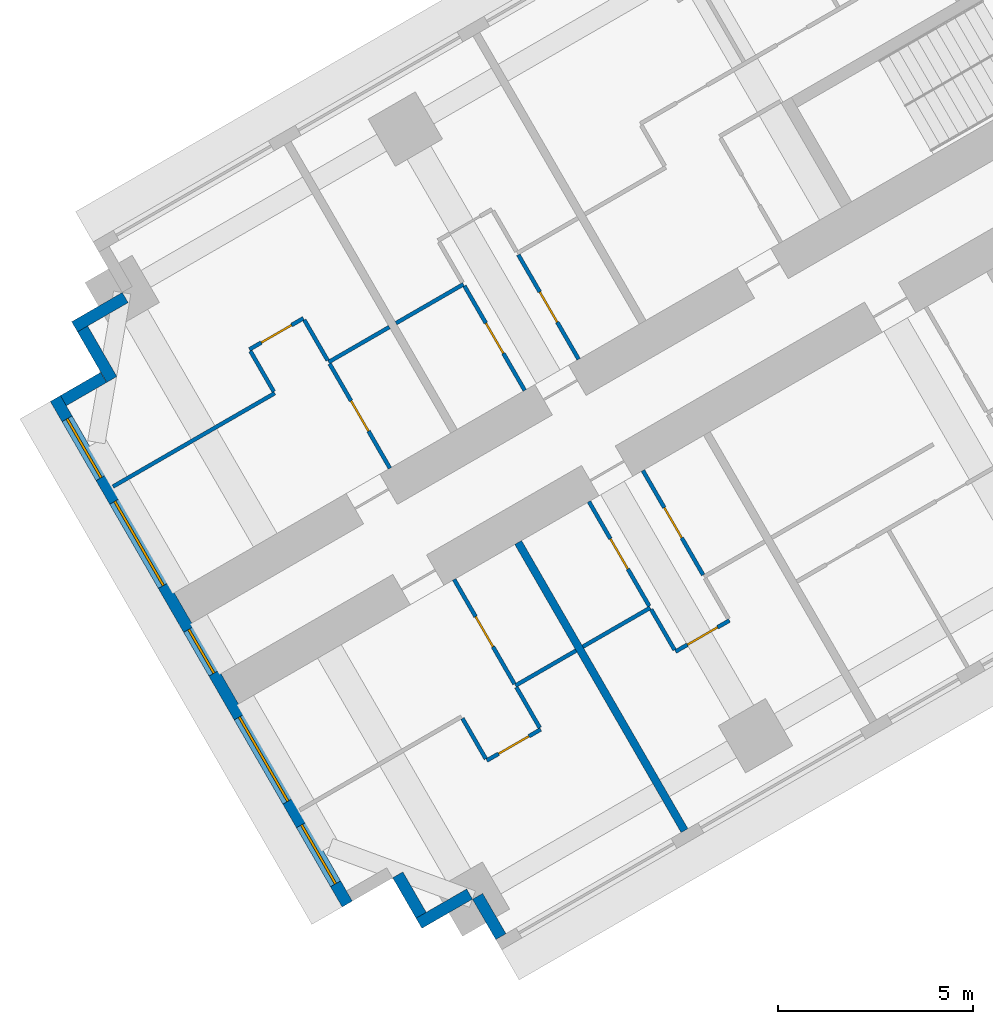
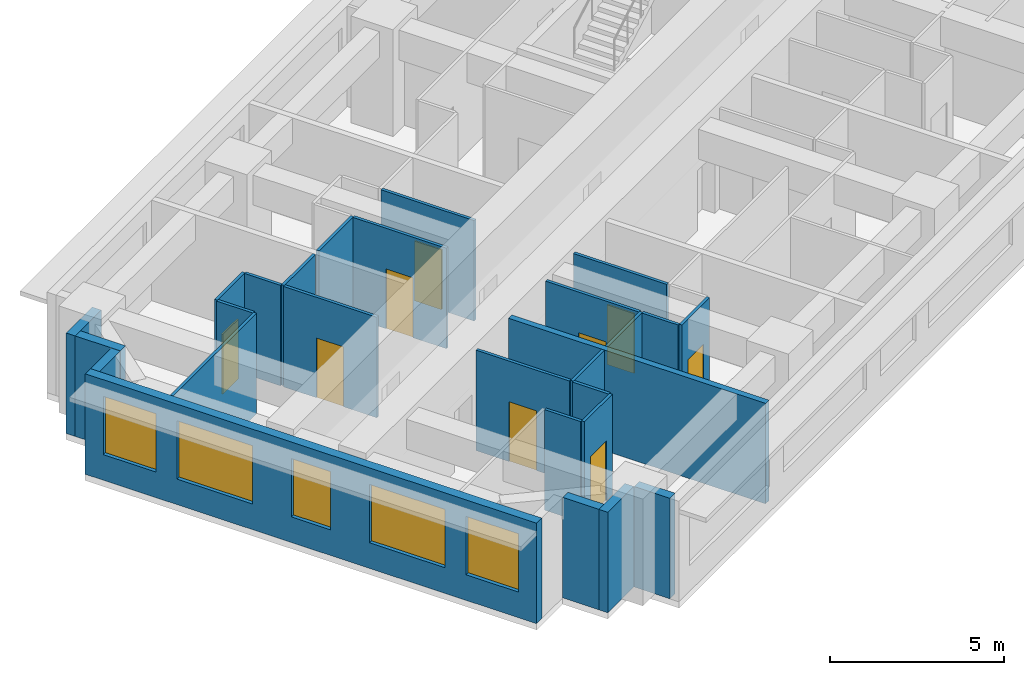
# One storey, part 3 of 16: 27 walls, 9 doors, 5 windows, 14 openings.
"""IFC4 building model written with IfcOpenShell, lengths in metres."""

from ifc_helpers import new_model, si_unit, direction, frame, frame_2d, origin, place, context, subcontext, project, spatial, rectangle, extrude, material, layer, layer_set, type_object, element, fill, save


model = new_model("IFC4")

# Units and contexts
model_context = context("Model", 3, precision=1e-05, world=origin(), true_north=direction((0.0, 1.0)))
body_context = subcontext(model_context, "Body", "Model", "MODEL_VIEW")
ifc_project = project(units=[si_unit("LENGTHUNIT", "METRE"), si_unit("AREAUNIT", "SQUARE_METRE"), si_unit("VOLUMEUNIT", "CUBIC_METRE"), si_unit("PLANEANGLEUNIT", "RADIAN"), si_unit("MASSUNIT", "GRAM", prefix="KILO")], contexts=[model_context])

# Site, building, storey
site_placement = place(None, origin())
site = spatial("IfcSite", under=ifc_project, at=site_placement, CompositionType="ELEMENT")
building_placement = place(site_placement, origin())
building = spatial("IfcBuilding", under=site, at=building_placement, Name="Impinga Residences", CompositionType="ELEMENT")
storey_placement = place(building_placement, frame((0.0, 0.0, 52.25)))
storey = spatial("IfcBuildingStorey", under=building, at=storey_placement, Name="L12", CompositionType="ELEMENT", Elevation=52.25)

# Walls
ifc_material_1 = material(Name="Terracotta rainscreen on blockwork", Category="masonry")
ifc_layer_1 = layer(ifc_material_1, 0.300048828125)
ifc_layer_set_1 = layer_set([ifc_layer_1], Name="EW1 external wall, terracotta rainscreen on blockwork 300")
wall_type_1 = type_object("IfcWallType", Name="EW1 external wall, terracotta rainscreen on blockwork 300", PredefinedType="SOLIDWALL", material=ifc_layer_set_1)
wall_1_placement = place(storey_placement, frame((-33.7685546875, -31.274169921875, 0.0), z_axis=(0.0, 0.0, 1.0), x_axis=(-0.499940577336, 0.866059708757, 0.0)))
element("IfcWall", 1, at=wall_1_placement, inside=storey, type_object=wall_type_1, Name="External wall EW1 L12", PredefinedType="SOLIDWALL", context=body_context, shape_type="SweptSolid", body=[
    extrude(rectangle(XDim=1.195068359375, YDim=0.300048828125, at=frame_2d((0.59765625, 0.0))), origin(), (0.0, 0.0, 1.0), 3.530029296875),
])
wall_2_placement = place(storey_placement, frame((-34.573486328125, -30.18017578125, 0.0), z_axis=(0.0, 0.0, 1.0), x_axis=(-0.866031096941, -0.499990139034, 0.0)))
element("IfcWall", 2, at=wall_2_placement, inside=storey, type_object=wall_type_1, Name="External wall EW1 L12", PredefinedType="SOLIDWALL", context=body_context, shape_type="SweptSolid", body=[
    extrude(rectangle(XDim=1.5, YDim=0.300048828125, at=frame_2d((0.75, 0.0))), origin(), (0.0, 0.0, 1.0), 3.530029296875),
])
wall_3_placement = place(storey_placement, frame((-35.817626953125, -30.72509765625, 0.0), z_axis=(0.0, 0.0, 1.0), x_axis=(-0.499969057507, 0.866043267704, 0.0)))
element("IfcWall", 3, at=wall_3_placement, inside=storey, type_object=wall_type_1, Name="External wall EW1 L12", PredefinedType="SOLIDWALL", context=body_context, shape_type="SweptSolid", body=[
    extrude(rectangle(XDim=1.19970703125, YDim=0.300048828125, at=frame_2d((0.599853515625, 0.0))), origin(), (0.0, 0.0, 1.0), 3.530029296875),
])

# Wall, openings, windows
wall_4_placement = place(storey_placement, frame((-37.716552734375, -30.43603515625, 0.0), z_axis=(0.0, 0.0, 1.0), x_axis=(-0.499997186618, 0.866027028085, 0.0)))
wall_4 = element("IfcWall", 4, at=wall_4_placement, inside=storey, type_object=wall_type_1, Name="External wall EW1 L12", PredefinedType="SOLIDWALL", context=body_context, shape_type="SweptSolid", body=[
    extrude(rectangle(XDim=15.0, YDim=0.300048828125, at=frame_2d((7.5, 0.0))), origin(), (0.0, 0.0, 1.0), 3.530029296875),
])
opening_1_placement = place(wall_4_placement, frame((0.60009765625, 0.0, 0.89990234375)))
opening_1 = element("IfcOpeningElement", 5, at=opening_1_placement, cuts=wall_4, Name="Opening W1", PredefinedType="OPENING", context=body_context, shape_type="SweptSolid", body=[
    extrude(rectangle(XDim=1.75, YDim=2.050048828125, at=frame_2d((0.875, 1.02490234375))), frame((0.0, 0.159912109375, 0.0), z_axis=(0.0, -1.0, 0.0), x_axis=(1.0, 0.0, 0.0)), (0.0, 0.0, 1.0), 0.320068359375),
])
opening_2_placement = place(wall_4_placement, frame((3.050048828125, 0.0, 0.89990234375)))
opening_2 = element("IfcOpeningElement", 6, at=opening_2_placement, cuts=wall_4, Name="Opening W2", PredefinedType="OPENING", context=body_context, shape_type="SweptSolid", body=[
    extrude(rectangle(XDim=2.5, YDim=2.050048828125, at=frame_2d((1.25, 1.02490234375))), frame((0.0, 0.159912109375, 0.0), z_axis=(0.0, -1.0, 0.0), x_axis=(1.0, 0.0, 0.0)), (0.0, 0.0, 1.0), 0.320068359375),
])
opening_3_placement = place(wall_4_placement, frame((6.85009765625, 0.0, 0.89990234375)))
opening_3 = element("IfcOpeningElement", 7, at=opening_3_placement, cuts=wall_4, Name="Opening WE1", PredefinedType="OPENING", context=body_context, shape_type="SweptSolid", body=[
    extrude(rectangle(XDim=1.300048828125, YDim=2.050048828125, at=frame_2d((0.64990234375, 1.02490234375))), frame((0.0, 0.159912109375, 0.0), z_axis=(0.0, -1.0, 0.0), x_axis=(1.0, 0.0, 0.0)), (0.0, 0.0, 1.0), 0.320068359375),
])
opening_4_placement = place(wall_4_placement, frame((9.449951171875, 0.0, 0.89990234375)))
opening_4 = element("IfcOpeningElement", 8, at=opening_4_placement, cuts=wall_4, Name="Opening W2", PredefinedType="OPENING", context=body_context, shape_type="SweptSolid", body=[
    extrude(rectangle(XDim=2.5, YDim=2.050048828125, at=frame_2d((1.25, 1.02490234375))), frame((0.0, 0.159912109375, 0.0), z_axis=(0.0, -1.0, 0.0), x_axis=(1.0, 0.0, 0.0)), (0.0, 0.0, 1.0), 0.320068359375),
])
opening_5_placement = place(wall_4_placement, frame((12.64990234375, 0.0, 0.89990234375)))
opening_5 = element("IfcOpeningElement", 9, at=opening_5_placement, cuts=wall_4, Name="Opening W1", PredefinedType="OPENING", context=body_context, shape_type="SweptSolid", body=[
    extrude(rectangle(XDim=1.75, YDim=2.050048828125, at=frame_2d((0.875, 1.02490234375))), frame((0.0, 0.159912109375, 0.0), z_axis=(0.0, -1.0, 0.0), x_axis=(1.0, 0.0, 0.0)), (0.0, 0.0, 1.0), 0.320068359375),
])
ifc_material_2 = material(Name="Aluminium window, clear double glazing", Category="aluminium")
window_type_1 = type_object("IfcWindowType", Name="W1 ribbon window 1750x2050", PartitioningType="SINGLE_PANEL", PredefinedType="WINDOW", material=ifc_material_2)
window_1_placement = place(opening_1_placement, origin())
window_1 = element("IfcWindow", 10, at=window_1_placement, inside=storey, type_object=window_type_1, Name="Window L12", OverallHeight=2.050048828125, OverallWidth=1.75, PartitioningType="SINGLE_PANEL", PredefinedType="WINDOW", context=body_context, shape_type="SweptSolid", body=[
    extrude(rectangle(XDim=1.75, YDim=2.050048828125, at=frame_2d((0.875, 1.02490234375))), frame((0.0, 0.030029296875, 0.0), z_axis=(0.0, -1.0, 0.0), x_axis=(1.0, 0.0, 0.0)), (0.0, 0.0, 1.0), 0.06005859375),
])
fill(opening_1, window_1)
window_2_placement = place(opening_5_placement, origin())
window_2 = element("IfcWindow", 11, at=window_2_placement, inside=storey, type_object=window_type_1, Name="Window L12", OverallHeight=2.050048828125, OverallWidth=1.75, PartitioningType="SINGLE_PANEL", PredefinedType="WINDOW", context=body_context, shape_type="SweptSolid", body=[
    extrude(rectangle(XDim=1.75, YDim=2.050048828125, at=frame_2d((0.875, 1.02490234375))), frame((0.0, 0.030029296875, 0.0), z_axis=(0.0, -1.0, 0.0), x_axis=(1.0, 0.0, 0.0)), (0.0, 0.0, 1.0), 0.06005859375),
])
fill(opening_5, window_2)
window_type_2 = type_object("IfcWindowType", Name="W2 ribbon window 2500x2050", PartitioningType="SINGLE_PANEL", PredefinedType="WINDOW", material=ifc_material_2)
window_3_placement = place(opening_2_placement, origin())
window_3 = element("IfcWindow", 12, at=window_3_placement, inside=storey, type_object=window_type_2, Name="Window L12", OverallHeight=2.050048828125, OverallWidth=2.5, PartitioningType="SINGLE_PANEL", PredefinedType="WINDOW", context=body_context, shape_type="SweptSolid", body=[
    extrude(rectangle(XDim=2.5, YDim=2.050048828125, at=frame_2d((1.25, 1.02490234375))), frame((0.0, 0.030029296875, 0.0), z_axis=(0.0, -1.0, 0.0), x_axis=(1.0, 0.0, 0.0)), (0.0, 0.0, 1.0), 0.06005859375),
])
fill(opening_2, window_3)
window_4_placement = place(opening_4_placement, origin())
window_4 = element("IfcWindow", 13, at=window_4_placement, inside=storey, type_object=window_type_2, Name="Window L12", OverallHeight=2.050048828125, OverallWidth=2.5, PartitioningType="SINGLE_PANEL", PredefinedType="WINDOW", context=body_context, shape_type="SweptSolid", body=[
    extrude(rectangle(XDim=2.5, YDim=2.050048828125, at=frame_2d((1.25, 1.02490234375))), frame((0.0, 0.030029296875, 0.0), z_axis=(0.0, -1.0, 0.0), x_axis=(1.0, 0.0, 0.0)), (0.0, 0.0, 1.0), 0.06005859375),
])
fill(opening_4, window_4)
window_type_3 = type_object("IfcWindowType", Name="WE1 corridor window 1300x2050", PartitioningType="SINGLE_PANEL", PredefinedType="WINDOW", material=ifc_material_2)
window_5_placement = place(opening_3_placement, origin())
window_5 = element("IfcWindow", 14, at=window_5_placement, inside=storey, type_object=window_type_3, Name="Window L12", OverallHeight=2.050048828125, OverallWidth=1.300048828125, PartitioningType="SINGLE_PANEL", PredefinedType="WINDOW", context=body_context, shape_type="SweptSolid", body=[
    extrude(rectangle(XDim=1.300048828125, YDim=2.050048828125, at=frame_2d((0.64990234375, 1.02490234375))), frame((0.0, 0.030029296875, 0.0), z_axis=(0.0, -1.0, 0.0), x_axis=(1.0, 0.0, 0.0)), (0.0, 0.0, 1.0), 0.06005859375),
])
fill(opening_3, window_5)

# Walls
wall_5_placement = place(storey_placement, frame((-45.01171875, -17.50048828125, 0.0), z_axis=(0.0, 0.0, 1.0), x_axis=(0.866059708757, 0.499940577336, 0.0)))
element("IfcWall", 15, at=wall_5_placement, inside=storey, type_object=wall_type_1, Name="External wall EW1 L12", PredefinedType="SOLIDWALL", context=body_context, shape_type="SweptSolid", body=[
    extrude(rectangle(XDim=1.195068359375, YDim=0.300048828125, at=frame_2d((0.59765625, 0.0))), origin(), (0.0, 0.0, 1.0), 3.530029296875),
])
for number, where, z_axis, x_axis, name in (
    (16, (-43.767578125, -16.955322265625, 0.0), (0.0, 0.0, 1.0), (-0.499990139034, 0.866031096941, 0.0), "External wall EW1 L12"),
    (17, (-44.722412109375, -15.6015625, 0.0), (0.0, 0.0, 1.0), (0.866031096941, 0.499990139034, 0.0), "External wall EW1 L12"),
):
    element("IfcWall", number, at=place(storey_placement, frame(where, z_axis=z_axis, x_axis=x_axis)), inside=storey, type_object=wall_type_1, Name=name, PredefinedType="SOLIDWALL", context=body_context, shape_type="SweptSolid", body=[
        extrude(rectangle(XDim=1.5, YDim=0.300048828125, at=frame_2d((0.75, 0.0))), origin(), (0.0, 0.0, 1.0), 3.530029296875),
    ])
ifc_material_3 = material(Name="Gypsum board on steel studs", Category="steel")
ifc_layer_2 = layer(ifc_material_3, 0.10009765625)
ifc_layer_set_2 = layer_set([ifc_layer_2], Name="Gypsum board on steel studs")
wall_type_2 = type_object("IfcWallType", Name="IP1 partition 100", PredefinedType="PARTITIONING", material=ifc_layer_set_2)
wall_6_placement = place(storey_placement, frame((-29.93017578125, -22.82275390625, 0.0), z_axis=(0.0, 0.0, 1.0), x_axis=(-0.866010750942, -0.50002537861, 0.0)))
element("IfcWall", 18, at=wall_6_placement, inside=storey, type_object=wall_type_2, Name="Partition L12-WA4:DIV1", PredefinedType="PARTITIONING", context=body_context, shape_type="SweptSolid", body=[
    extrude(rectangle(XDim=2.0, YDim=0.10009765625, at=frame_2d((1.0, 0.0))), origin(), (0.0, 0.0, 1.0), 3.530029296875),
])

# Wall, opening, door
wall_7_placement = place(storey_placement, frame((-27.89453125, -23.1484375, 0.0), z_axis=(0.0, 0.0, 1.0), x_axis=(-0.865989903783, -0.500061482766, 0.0)))
wall_7 = element("IfcWall", 19, at=wall_7_placement, inside=storey, type_object=wall_type_2, Name="Partition L12-WA4:STRIP", PredefinedType="PARTITIONING", context=body_context, shape_type="SweptSolid", body=[
    extrude(rectangle(XDim=1.599853515625, YDim=0.10009765625, at=frame_2d((0.7998046875, 0.0))), origin(), (0.0, 0.0, 1.0), 3.530029296875),
])
opening_6_placement = place(wall_7_placement, frame((0.35009765625, 0.0, 0.0)))
opening_6 = element("IfcOpeningElement", 20, at=opening_6_placement, cuts=wall_7, Name="Opening D2", PredefinedType="OPENING", context=body_context, shape_type="SweptSolid", body=[
    extrude(rectangle(XDim=0.89990234375, YDim=2.10009765625, at=frame_2d((0.449951171875, 1.050048828125))), frame((0.0, 0.06005859375, 0.0), z_axis=(0.0, -1.0, 0.0), x_axis=(1.0, 0.0, 0.0)), (0.0, 0.0, 1.0), 0.1201171875),
])
ifc_material_4 = material(Name="Timber door set", Category="wood")
door_type = type_object("IfcDoorType", Name="D2 internal door 900x2100", OperationType="SINGLE_SWING_LEFT", PredefinedType="DOOR", material=ifc_material_4)
door_1_placement = place(opening_6_placement, origin())
door_1 = element("IfcDoor", 21, at=door_1_placement, inside=storey, type_object=door_type, Name="Apartment L12-WA4 room door", OperationType="SINGLE_SWING_LEFT", OverallHeight=2.10009765625, OverallWidth=0.89990234375, PredefinedType="DOOR", context=body_context, shape_type="SweptSolid", body=[
    extrude(rectangle(XDim=0.89990234375, YDim=2.10009765625, at=frame_2d((0.449951171875, 1.050048828125))), frame((0.0, 0.02490234375, 0.0), z_axis=(0.0, -1.0, 0.0), x_axis=(1.0, 0.0, 0.0)), (0.0, 0.0, 1.0), 0.050048828125),
])
fill(opening_6, door_1)

# Wall
wall_8_placement = place(storey_placement, frame((-29.905029296875, -22.865966796875, 0.0), z_axis=(0.0, 0.0, 1.0), x_axis=(0.499880961361, -0.866094119867, 0.0)))
element("IfcWall", 22, at=wall_8_placement, inside=storey, type_object=wall_type_2, Name="Partition L12-WA4:SE1", PredefinedType="PARTITIONING", context=body_context, shape_type="SweptSolid", body=[
    extrude(rectangle(XDim=1.199951171875, YDim=0.10009765625, at=frame_2d((0.60009765625, 0.0))), origin(), (0.0, 0.0, 1.0), 3.530029296875),
])

# Wall, opening, door
wall_9_placement = place(storey_placement, frame((-30.119384765625, -19.294677734375, 0.0), z_axis=(0.0, 0.0, 1.0), x_axis=(0.49999285859, -0.86602952684, 0.0)))
wall_9 = element("IfcWall", 23, at=wall_9_placement, inside=storey, type_object=wall_type_2, Name="Partition L12-WA4:IB1", PredefinedType="PARTITIONING", context=body_context, shape_type="SweptSolid", body=[
    extrude(rectangle(XDim=3.10009765625, YDim=0.10009765625, at=frame_2d((1.550048828125, 0.0))), origin(), (0.0, 0.0, 1.0), 3.530029296875),
])
opening_7_placement = place(wall_9_placement, frame((1.10009765625, 0.0, 0.0)))
opening_7 = element("IfcOpeningElement", 24, at=opening_7_placement, cuts=wall_9, Name="Opening D2", PredefinedType="OPENING", context=body_context, shape_type="SweptSolid", body=[
    extrude(rectangle(XDim=0.89990234375, YDim=2.10009765625, at=frame_2d((0.449951171875, 1.050048828125))), frame((0.0, 0.06005859375, 0.0), z_axis=(0.0, -1.0, 0.0), x_axis=(1.0, 0.0, 0.0)), (0.0, 0.0, 1.0), 0.1201171875),
])
door_2_placement = place(opening_7_placement, origin())
door_2 = element("IfcDoor", 25, at=door_2_placement, inside=storey, type_object=door_type, Name="Apartment L12-WA4 bathroom door", OperationType="SINGLE_SWING_LEFT", OverallHeight=2.10009765625, OverallWidth=0.89990234375, PredefinedType="DOOR", context=body_context, shape_type="SweptSolid", body=[
    extrude(rectangle(XDim=0.89990234375, YDim=2.10009765625, at=frame_2d((0.449951171875, 1.050048828125))), frame((0.0, 0.02490234375, 0.0), z_axis=(0.0, -1.0, 0.0), x_axis=(1.0, 0.0, 0.0)), (0.0, 0.0, 1.0), 0.050048828125),
])
fill(opening_7, door_2)

wall_10_placement = place(storey_placement, frame((-31.505126953125, -20.0947265625, 0.0), z_axis=(0.0, 0.0, 1.0), x_axis=(0.500026960575, -0.86600983753, 0.0)))
wall_10 = element("IfcWall", 26, at=wall_10_placement, inside=storey, type_object=wall_type_2, Name="Partition L12-WA4:IB2", PredefinedType="PARTITIONING", context=body_context, shape_type="SweptSolid", body=[
    extrude(rectangle(XDim=3.099853515625, YDim=0.10009765625, at=frame_2d((1.5498046875, 0.0))), origin(), (0.0, 0.0, 1.0), 3.530029296875),
])
opening_8_placement = place(wall_10_placement, frame((1.10009765625, 0.0, 0.0)))
opening_8 = element("IfcOpeningElement", 27, at=opening_8_placement, cuts=wall_10, Name="Opening D2", PredefinedType="OPENING", context=body_context, shape_type="SweptSolid", body=[
    extrude(rectangle(XDim=0.89990234375, YDim=2.10009765625, at=frame_2d((0.449951171875, 1.050048828125))), frame((0.0, 0.06005859375, 0.0), z_axis=(0.0, -1.0, 0.0), x_axis=(1.0, 0.0, 0.0)), (0.0, 0.0, 1.0), 0.1201171875),
])
door_3_placement = place(opening_8_placement, origin())
door_3 = element("IfcDoor", 28, at=door_3_placement, inside=storey, type_object=door_type, Name="Apartment L12-WA4 WC door", OperationType="SINGLE_SWING_LEFT", OverallHeight=2.10009765625, OverallWidth=0.89990234375, PredefinedType="DOOR", context=body_context, shape_type="SweptSolid", body=[
    extrude(rectangle(XDim=0.89990234375, YDim=2.10009765625, at=frame_2d((0.449951171875, 1.050048828125))), frame((0.0, 0.02490234375, 0.0), z_axis=(0.0, -1.0, 0.0), x_axis=(1.0, 0.0, 0.0)), (0.0, 0.0, 1.0), 0.050048828125),
])
fill(opening_8, door_3)

# Wall
wall_11_placement = place(storey_placement, frame((-31.835205078125, -23.922607421875, 0.0), z_axis=(0.0, 0.0, 1.0), x_axis=(-0.865989075817, -0.500062916607, 0.0)))
element("IfcWall", 29, at=wall_11_placement, inside=storey, type_object=wall_type_2, Name="Partition L12-WA5:DIV0", PredefinedType="PARTITIONING", context=body_context, shape_type="SweptSolid", body=[
    extrude(rectangle(XDim=1.800048828125, YDim=0.10009765625, at=frame_2d((0.89990234375, 0.0))), origin(), (0.0, 0.0, 1.0), 3.530029296875),
])

# Wall, opening, door
wall_12_placement = place(storey_placement, frame((-32.744140625, -25.948486328125, 0.0), z_axis=(0.0, 0.0, 1.0), x_axis=(-0.866028054938, -0.499995408039, 0.0)))
wall_12 = element("IfcWall", 30, at=wall_12_placement, inside=storey, type_object=wall_type_2, Name="Partition L12-WA5:STRIP", PredefinedType="PARTITIONING", context=body_context, shape_type="SweptSolid", body=[
    extrude(rectangle(XDim=1.60009765625, YDim=0.10009765625, at=frame_2d((0.800048828125, 0.0))), origin(), (0.0, 0.0, 1.0), 3.530029296875),
])
opening_9_placement = place(wall_12_placement, frame((0.35009765625, 0.0, 0.0)))
opening_9 = element("IfcOpeningElement", 31, at=opening_9_placement, cuts=wall_12, Name="Opening D2", PredefinedType="OPENING", context=body_context, shape_type="SweptSolid", body=[
    extrude(rectangle(XDim=0.89990234375, YDim=2.10009765625, at=frame_2d((0.449951171875, 1.050048828125))), frame((0.0, 0.06005859375, 0.0), z_axis=(0.0, -1.0, 0.0), x_axis=(1.0, 0.0, 0.0)), (0.0, 0.0, 1.0), 0.1201171875),
])
door_4_placement = place(opening_9_placement, origin())
door_4 = element("IfcDoor", 32, at=door_4_placement, inside=storey, type_object=door_type, Name="Apartment L12-WA5 room door", OperationType="SINGLE_SWING_LEFT", OverallHeight=2.10009765625, OverallWidth=0.89990234375, PredefinedType="DOOR", context=body_context, shape_type="SweptSolid", body=[
    extrude(rectangle(XDim=0.89990234375, YDim=2.10009765625, at=frame_2d((0.449951171875, 1.050048828125))), frame((0.0, 0.02490234375, 0.0), z_axis=(0.0, -1.0, 0.0), x_axis=(1.0, 0.0, 0.0)), (0.0, 0.0, 1.0), 0.050048828125),
])
fill(opening_9, door_4)

# Walls
for number, where, z_axis, x_axis, name in (
    (33, (-33.369140625, -24.865966796875, 0.0), (0.0, 0.0, 1.0), (0.500033551112, -0.866006032174, 0.0), "Partition L12-WA5:SE0"),
    (34, (-34.7548828125, -25.666015625, 0.0), (0.0, 0.0, 1.0), (0.500033551112, -0.866006032174, 0.0), "Partition L12-WA5:SE1"),
):
    element("IfcWall", number, at=place(storey_placement, frame(where, z_axis=z_axis, x_axis=x_axis)), inside=storey, type_object=wall_type_2, Name=name, PredefinedType="PARTITIONING", context=body_context, shape_type="SweptSolid", body=[
        extrude(rectangle(XDim=1.2001953125, YDim=0.10009765625, at=frame_2d((0.60009765625, 0.0))), origin(), (0.0, 0.0, 1.0), 3.530029296875),
    ])

# Wall, opening, door
wall_13_placement = place(storey_placement, frame((-34.96923828125, -22.0947265625, 0.0), z_axis=(0.0, 0.0, 1.0), x_axis=(0.500026960575, -0.86600983753, 0.0)))
wall_13 = element("IfcWall", 35, at=wall_13_placement, inside=storey, type_object=wall_type_2, Name="Partition L12-WA5:IB1", PredefinedType="PARTITIONING", context=body_context, shape_type="SweptSolid", body=[
    extrude(rectangle(XDim=3.099853515625, YDim=0.10009765625, at=frame_2d((1.5498046875, 0.0))), origin(), (0.0, 0.0, 1.0), 3.530029296875),
])
opening_10_placement = place(wall_13_placement, frame((1.10009765625, 0.0, 0.0)))
opening_10 = element("IfcOpeningElement", 36, at=opening_10_placement, cuts=wall_13, Name="Opening D2", PredefinedType="OPENING", context=body_context, shape_type="SweptSolid", body=[
    extrude(rectangle(XDim=0.89990234375, YDim=2.10009765625, at=frame_2d((0.449951171875, 1.050048828125))), frame((0.0, 0.06005859375, 0.0), z_axis=(0.0, -1.0, 0.0), x_axis=(1.0, 0.0, 0.0)), (0.0, 0.0, 1.0), 0.1201171875),
])
door_5_placement = place(opening_10_placement, origin())
door_5 = element("IfcDoor", 37, at=door_5_placement, inside=storey, type_object=door_type, Name="Apartment L12-WA5 bathroom door", OperationType="SINGLE_SWING_LEFT", OverallHeight=2.10009765625, OverallWidth=0.89990234375, PredefinedType="DOOR", context=body_context, shape_type="SweptSolid", body=[
    extrude(rectangle(XDim=0.89990234375, YDim=2.10009765625, at=frame_2d((0.449951171875, 1.050048828125))), frame((0.0, 0.02490234375, 0.0), z_axis=(0.0, -1.0, 0.0), x_axis=(1.0, 0.0, 0.0)), (0.0, 0.0, 1.0), 0.050048828125),
])
fill(opening_10, door_5)

# Wall
wall_14_placement = place(storey_placement, frame((-34.72998046875, -14.5087890625, 0.0), z_axis=(0.0, 0.0, 1.0), x_axis=(-0.866041268327, -0.499972520799, 0.0)))
element("IfcWall", 38, at=wall_14_placement, inside=storey, type_object=wall_type_2, Name="Partition L12-WF3:DIV1", PredefinedType="PARTITIONING", context=body_context, shape_type="SweptSolid", body=[
    extrude(rectangle(XDim=2.0, YDim=0.10009765625, at=frame_2d((1.0, 0.0))), origin(), (0.0, 0.0, 1.0), 3.530029296875),
])

# Wall, opening, door
wall_15_placement = place(storey_placement, frame((-31.76953125, -16.436767578125, 0.0), z_axis=(0.0, 0.0, 1.0), x_axis=(-0.499967891604, 0.866043940782, 0.0)))
wall_15 = element("IfcWall", 39, at=wall_15_placement, inside=storey, type_object=wall_type_2, Name="Partition L12-WF3:IB1", PredefinedType="PARTITIONING", context=body_context, shape_type="SweptSolid", body=[
    extrude(rectangle(XDim=3.099853515625, YDim=0.10009765625, at=frame_2d((1.5498046875, 0.0))), origin(), (0.0, 0.0, 1.0), 3.530029296875),
])
opening_11_placement = place(wall_15_placement, frame((1.10009765625, 0.0, 0.0)))
opening_11 = element("IfcOpeningElement", 40, at=opening_11_placement, cuts=wall_15, Name="Opening D2", PredefinedType="OPENING", context=body_context, shape_type="SweptSolid", body=[
    extrude(rectangle(XDim=0.89990234375, YDim=2.10009765625, at=frame_2d((0.449951171875, 1.050048828125))), frame((0.0, 0.06005859375, 0.0), z_axis=(0.0, -1.0, 0.0), x_axis=(1.0, 0.0, 0.0)), (0.0, 0.0, 1.0), 0.1201171875),
])
door_6_placement = place(opening_11_placement, origin())
door_6 = element("IfcDoor", 41, at=door_6_placement, inside=storey, type_object=door_type, Name="Apartment L12-WF3 bathroom door", OperationType="SINGLE_SWING_LEFT", OverallHeight=2.10009765625, OverallWidth=0.89990234375, PredefinedType="DOOR", context=body_context, shape_type="SweptSolid", body=[
    extrude(rectangle(XDim=0.89990234375, YDim=2.10009765625, at=frame_2d((0.449951171875, 1.050048828125))), frame((0.0, 0.02490234375, 0.0), z_axis=(0.0, -1.0, 0.0), x_axis=(1.0, 0.0, 0.0)), (0.0, 0.0, 1.0), 0.050048828125),
])
fill(opening_11, door_6)

wall_16_placement = place(storey_placement, frame((-33.155029296875, -17.23681640625, 0.0), z_axis=(0.0, 0.0, 1.0), x_axis=(-0.500026960575, 0.86600983753, 0.0)))
wall_16 = element("IfcWall", 42, at=wall_16_placement, inside=storey, type_object=wall_type_2, Name="Partition L12-WF3:IB2", PredefinedType="PARTITIONING", context=body_context, shape_type="SweptSolid", body=[
    extrude(rectangle(XDim=3.099853515625, YDim=0.10009765625, at=frame_2d((1.5498046875, 0.0))), origin(), (0.0, 0.0, 1.0), 3.530029296875),
])
opening_12_placement = place(wall_16_placement, frame((1.10009765625, 0.0, 0.0)))
opening_12 = element("IfcOpeningElement", 43, at=opening_12_placement, cuts=wall_16, Name="Opening D2", PredefinedType="OPENING", context=body_context, shape_type="SweptSolid", body=[
    extrude(rectangle(XDim=0.89990234375, YDim=2.10009765625, at=frame_2d((0.449951171875, 1.050048828125))), frame((0.0, 0.06005859375, 0.0), z_axis=(0.0, -1.0, 0.0), x_axis=(1.0, 0.0, 0.0)), (0.0, 0.0, 1.0), 0.1201171875),
])
door_7_placement = place(opening_12_placement, origin())
door_7 = element("IfcDoor", 44, at=door_7_placement, inside=storey, type_object=door_type, Name="Apartment L12-WF3 WC door", OperationType="SINGLE_SWING_LEFT", OverallHeight=2.10009765625, OverallWidth=0.89990234375, PredefinedType="DOOR", context=body_context, shape_type="SweptSolid", body=[
    extrude(rectangle(XDim=0.89990234375, YDim=2.10009765625, at=frame_2d((0.449951171875, 1.050048828125))), frame((0.0, 0.02490234375, 0.0), z_axis=(0.0, -1.0, 0.0), x_axis=(1.0, 0.0, 0.0)), (0.0, 0.0, 1.0), 0.050048828125),
])
fill(opening_12, door_7)

# Walls
wall_17_placement = place(storey_placement, frame((-36.63525390625, -15.60888671875, 0.0), z_axis=(0.0, 0.0, 1.0), x_axis=(-0.866047807691, -0.499961193289, 0.0)))
element("IfcWall", 45, at=wall_17_placement, inside=storey, type_object=wall_type_2, Name="Partition L12-WF4:DIV0", PredefinedType="PARTITIONING", context=body_context, shape_type="SweptSolid", body=[
    extrude(rectangle(XDim=1.800048828125, YDim=0.10009765625, at=frame_2d((0.89990234375, 0.0))), origin(), (0.0, 0.0, 1.0), 3.530029296875),
])
wall_18_placement = place(storey_placement, frame((-39.579833984375, -17.308837890625, 0.0), z_axis=(0.0, 0.0, 1.0), x_axis=(-0.866037363387, -0.499979284789, 0.0)))
element("IfcWall", 46, at=wall_18_placement, inside=storey, type_object=wall_type_2, Name="Partition L12-WF4:DIV1", PredefinedType="PARTITIONING", context=body_context, shape_type="SweptSolid", body=[
    extrude(rectangle(XDim=4.800048828125, YDim=0.10009765625, at=frame_2d((2.39990234375, 0.0))), origin(), (0.0, 0.0, 1.0), 3.530029296875),
])

# Wall, opening, door
wall_19_placement = place(storey_placement, frame((-38.84423828125, -15.383056640625, 0.0), z_axis=(0.0, 0.0, 1.0), x_axis=(-0.865989903783, -0.500061482766, 0.0)))
wall_19 = element("IfcWall", 47, at=wall_19_placement, inside=storey, type_object=wall_type_2, Name="Partition L12-WF4:STRIP", PredefinedType="PARTITIONING", context=body_context, shape_type="SweptSolid", body=[
    extrude(rectangle(XDim=1.599853515625, YDim=0.10009765625, at=frame_2d((0.7998046875, 0.0))), origin(), (0.0, 0.0, 1.0), 3.530029296875),
])
opening_13_placement = place(wall_19_placement, frame((0.35009765625, 0.0, 0.0)))
opening_13 = element("IfcOpeningElement", 48, at=opening_13_placement, cuts=wall_19, Name="Opening D2", PredefinedType="OPENING", context=body_context, shape_type="SweptSolid", body=[
    extrude(rectangle(XDim=0.89990234375, YDim=2.10009765625, at=frame_2d((0.449951171875, 1.050048828125))), frame((0.0, 0.06005859375, 0.0), z_axis=(0.0, -1.0, 0.0), x_axis=(1.0, 0.0, 0.0)), (0.0, 0.0, 1.0), 0.1201171875),
])
door_8_placement = place(opening_13_placement, origin())
door_8 = element("IfcDoor", 49, at=door_8_placement, inside=storey, type_object=door_type, Name="Apartment L12-WF4 room door", OperationType="SINGLE_SWING_LEFT", OverallHeight=2.10009765625, OverallWidth=0.89990234375, PredefinedType="DOOR", context=body_context, shape_type="SweptSolid", body=[
    extrude(rectangle(XDim=0.89990234375, YDim=2.10009765625, at=frame_2d((0.449951171875, 1.050048828125))), frame((0.0, 0.02490234375, 0.0), z_axis=(0.0, -1.0, 0.0), x_axis=(1.0, 0.0, 0.0)), (0.0, 0.0, 1.0), 0.050048828125),
])
fill(opening_13, door_8)

# Walls
wall_20_placement = place(storey_placement, frame((-38.21923828125, -16.465576171875, 0.0), z_axis=(0.0, 0.0, 1.0), x_axis=(-0.499880961361, 0.866094119867, 0.0)))
element("IfcWall", 50, at=wall_20_placement, inside=storey, type_object=wall_type_2, Name="Partition L12-WF4:SE0", PredefinedType="PARTITIONING", context=body_context, shape_type="SweptSolid", body=[
    extrude(rectangle(XDim=1.199951171875, YDim=0.10009765625, at=frame_2d((0.60009765625, 0.0))), origin(), (0.0, 0.0, 1.0), 3.530029296875),
])
wall_21_placement = place(storey_placement, frame((-39.604736328125, -17.265625, 0.0), z_axis=(0.0, 0.0, 1.0), x_axis=(-0.500033551112, 0.866006032174, 0.0)))
element("IfcWall", 51, at=wall_21_placement, inside=storey, type_object=wall_type_2, Name="Partition L12-WF4:SE1", PredefinedType="PARTITIONING", context=body_context, shape_type="SweptSolid", body=[
    extrude(rectangle(XDim=1.2001953125, YDim=0.10009765625, at=frame_2d((0.60009765625, 0.0))), origin(), (0.0, 0.0, 1.0), 3.530029296875),
])

# Wall, opening, door
wall_22_placement = place(storey_placement, frame((-36.619140625, -19.23681640625, 0.0), z_axis=(0.0, 0.0, 1.0), x_axis=(-0.500026960575, 0.86600983753, 0.0)))
wall_22 = element("IfcWall", 52, at=wall_22_placement, inside=storey, type_object=wall_type_2, Name="Partition L12-WF4:IB1", PredefinedType="PARTITIONING", context=body_context, shape_type="SweptSolid", body=[
    extrude(rectangle(XDim=3.099853515625, YDim=0.10009765625, at=frame_2d((1.5498046875, 0.0))), origin(), (0.0, 0.0, 1.0), 3.530029296875),
])
opening_14_placement = place(wall_22_placement, frame((1.10009765625, 0.0, 0.0)))
opening_14 = element("IfcOpeningElement", 53, at=opening_14_placement, cuts=wall_22, Name="Opening D2", PredefinedType="OPENING", context=body_context, shape_type="SweptSolid", body=[
    extrude(rectangle(XDim=0.89990234375, YDim=2.10009765625, at=frame_2d((0.449951171875, 1.050048828125))), frame((0.0, 0.06005859375, 0.0), z_axis=(0.0, -1.0, 0.0), x_axis=(1.0, 0.0, 0.0)), (0.0, 0.0, 1.0), 0.1201171875),
])
door_9_placement = place(opening_14_placement, origin())
door_9 = element("IfcDoor", 54, at=door_9_placement, inside=storey, type_object=door_type, Name="Apartment L12-WF4 bathroom door", OperationType="SINGLE_SWING_LEFT", OverallHeight=2.10009765625, OverallWidth=0.89990234375, PredefinedType="DOOR", context=body_context, shape_type="SweptSolid", body=[
    extrude(rectangle(XDim=0.89990234375, YDim=2.10009765625, at=frame_2d((0.449951171875, 1.050048828125))), frame((0.0, 0.02490234375, 0.0), z_axis=(0.0, -1.0, 0.0), x_axis=(1.0, 0.0, 0.0)), (0.0, 0.0, 1.0), 0.050048828125),
])
fill(opening_14, door_9)

# Wall
ifc_material_5 = material(Name="Concrete blockwork", Category="masonry")
ifc_layer_3 = layer(ifc_material_5, 0.199951171875)
ifc_layer_set_3 = layer_set([ifc_layer_3], Name="PW1 party wall between apartments 200")
wall_type_3 = type_object("IfcWallType", Name="PW1 party wall between apartments 200", PredefinedType="SOLIDWALL", material=ifc_layer_set_3)
wall_23_placement = place(storey_placement, frame((-33.32373046875, -21.144775390625, 0.0), z_axis=(0.0, 0.0, 1.0), x_axis=(0.499990227581, -0.86603104582, 0.0)))
element("IfcWall", 55, at=wall_23_placement, inside=storey, type_object=wall_type_3, Name="Party wall between apartments L12-WA4:PARTY", PredefinedType="SOLIDWALL", context=body_context, shape_type="SweptSolid", body=[
    extrude(rectangle(XDim=8.550048828125, YDim=0.199951171875, at=frame_2d((4.27490234375, 0.0))), origin(), (0.0, 0.0, 1.0), 3.530029296875),
])

save(model, "model.ifc")
